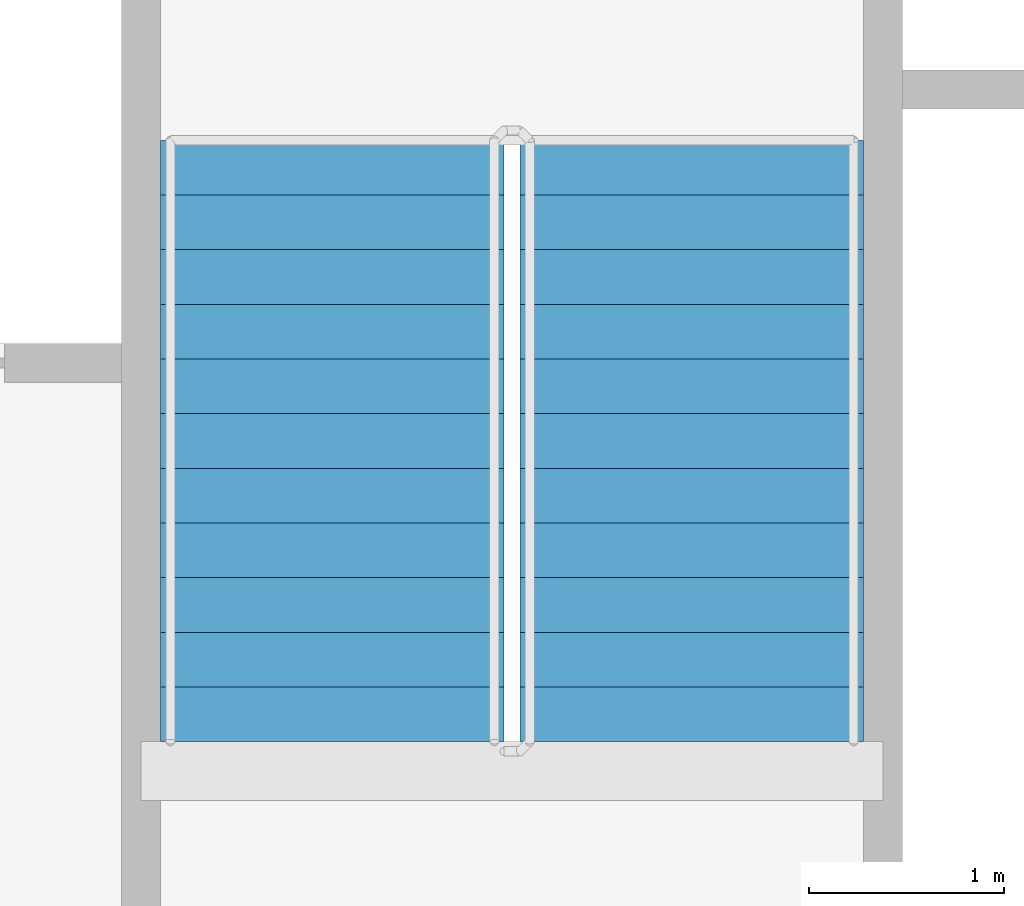
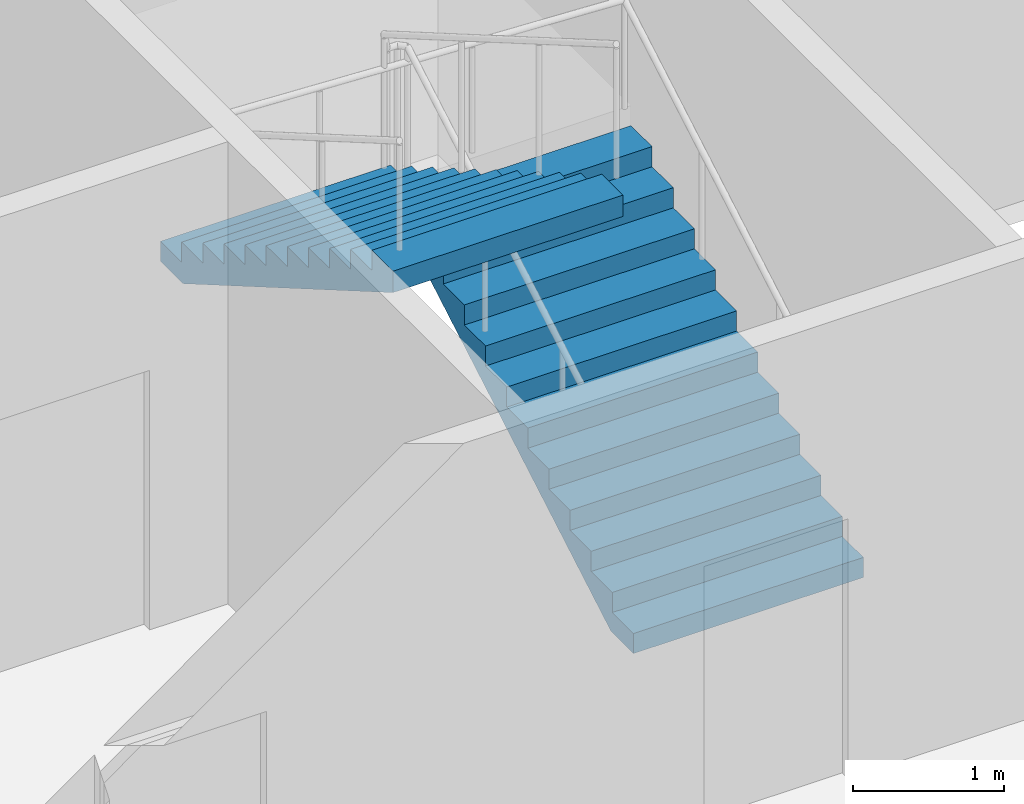
# One storey, part 9 of 14: 2 stair flights, 1 element without a shape of its own.
"""IFC4 building model written with IfcOpenShell, lengths in metres."""

from ifc_helpers import new_model, si_unit, direction, frame, origin, place, context, subcontext, project, spatial, faceted_brep, material, type_object, element, aggregate, save


model = new_model("IFC4")

# Units and contexts
model_context = context("Model", 3, precision=1e-05, world=origin(), true_north=direction((0.0, 1.0)))
body_context = subcontext(model_context, "Body", "Model", "MODEL_VIEW")
ifc_project = project(units=[si_unit("LENGTHUNIT", "METRE"), si_unit("AREAUNIT", "SQUARE_METRE"), si_unit("VOLUMEUNIT", "CUBIC_METRE"), si_unit("PLANEANGLEUNIT", "RADIAN"), si_unit("MASSUNIT", "GRAM", prefix="KILO")], contexts=[model_context])

# Site, building, storey
site_placement = place(None, origin())
site = spatial("IfcSite", under=ifc_project, at=site_placement, CompositionType="ELEMENT")
building_placement = place(site_placement, origin())
building = spatial("IfcBuilding", under=site, at=building_placement, Name="Tarsis Ring Headquarters", CompositionType="ELEMENT")
storey_placement = place(building_placement, frame((0.0, 0.0, 343.10009765625)))
storey = spatial("IfcBuildingStorey", under=building, at=storey_placement, Name="L81", CompositionType="ELEMENT", Elevation=343.10009765625)

# Stair, stair flights
ifc_material_1 = material(Name="Core stair 1760")
stair_type = type_object("IfcStairType", Name="Core stair 1760", PredefinedType="HALF_TURN_STAIR", material=ifc_material_1)
stair_placement = place(storey_placement, origin())
stair = element("IfcStair", 1, at=stair_placement, inside=storey, type_object=stair_type, Name="L81 Exit stair B", PredefinedType="HALF_TURN_STAIR")
ifc_material_2 = material(Name="Concrete C40/50", Category="concrete")
stair_flight_type = type_object("IfcStairFlightType", Name="Core stair flight 1760", PredefinedType="STRAIGHT", material=ifc_material_2)
stair_flight_1_placement = place(storey_placement, frame((5.419921875, 3.659912109375, 0.0), z_axis=(0.0, 0.0, 1.0), x_axis=(0.0, 1.0, 0.0)))
stair_flight_1 = element("IfcStairFlight", 2, at=stair_flight_1_placement, type_object=stair_flight_type, Name="Stair ST2 flight 1", NumberOfRisers=12, NumberOfTreads=11, PredefinedType="STRAIGHT", RiserHeight=0.1625, TreadLength=0.28, context=body_context, shape_type="Brep", body=[
    faceted_brep([(0.0, 0.8798828125, 0.0), (0.0, 0.8798828125, 0.16259765625), (0.280029296875, 0.8798828125, 0.16259765625), (0.280029296875, 0.8798828125, 0.324951171875), (0.56005859375, 0.8798828125, 0.324951171875), (0.56005859375, 0.8798828125, 0.487548828125), (0.840087890625, 0.8798828125, 0.487548828125), (0.840087890625, 0.8798828125, 0.64990234375), (1.1201171875, 0.8798828125, 0.64990234375), (1.1201171875, 0.8798828125, 0.8125), (1.39990234375, 0.8798828125, 0.8125), (1.39990234375, 0.8798828125, 0.97509765625), (1.679931640625, 0.8798828125, 0.97509765625), (1.679931640625, 0.8798828125, 1.137451171875), (1.9599609375, 0.8798828125, 1.137451171875), (1.9599609375, 0.8798828125, 1.300048828125), (2.239990234375, 0.8798828125, 1.300048828125), (2.239990234375, 0.8798828125, 1.46240234375), (2.52001953125, 0.8798828125, 1.46240234375), (2.52001953125, 0.8798828125, 1.625), (2.800048828125, 0.8798828125, 1.625), (2.800048828125, 0.8798828125, 1.78759765625), (3.080078125, 0.8798828125, 1.78759765625), (3.080078125, 0.8798828125, 1.6142578125), (0.298583984375, 0.8798828125, 0.0), (0.298583984375, -0.8798828125, 0.0), (3.080078125, -0.8798828125, 1.6142578125), (3.080078125, -0.8798828125, 1.78759765625), (2.800048828125, -0.8798828125, 1.78759765625), (2.800048828125, -0.8798828125, 1.625), (2.52001953125, -0.8798828125, 1.625), (2.52001953125, -0.8798828125, 1.46240234375), (2.239990234375, -0.8798828125, 1.46240234375), (2.239990234375, -0.8798828125, 1.300048828125), (1.9599609375, -0.8798828125, 1.300048828125), (1.9599609375, -0.8798828125, 1.137451171875), (1.679931640625, -0.8798828125, 1.137451171875), (1.679931640625, -0.8798828125, 0.97509765625), (1.39990234375, -0.8798828125, 0.97509765625), (1.39990234375, -0.8798828125, 0.8125), (1.1201171875, -0.8798828125, 0.8125), (1.1201171875, -0.8798828125, 0.64990234375), (0.840087890625, -0.8798828125, 0.64990234375), (0.840087890625, -0.8798828125, 0.487548828125), (0.56005859375, -0.8798828125, 0.487548828125), (0.56005859375, -0.8798828125, 0.324951171875), (0.280029296875, -0.8798828125, 0.324951171875), (0.280029296875, -0.8798828125, 0.16259765625), (0.0, -0.8798828125, 0.16259765625), (0.0, -0.8798828125, 0.0), (0.0, -0.43994140625, 0.16259765625), (0.0, -0.43994140625, 0.0), (0.0, 0.0, 0.16259765625), (0.0, 0.0, 0.0), (0.0, 0.43994140625, 0.16259765625), (0.0, 0.43994140625, 0.0), (0.280029296875, -0.43994140625, 0.16259765625), (0.280029296875, 0.0, 0.16259765625), (0.280029296875, 0.43994140625, 0.16259765625), (0.280029296875, -0.43994140625, 0.324951171875), (0.280029296875, 0.0, 0.324951171875), (0.280029296875, 0.43994140625, 0.324951171875), (0.56005859375, -0.43994140625, 0.324951171875), (0.56005859375, 0.0, 0.324951171875), (0.56005859375, 0.43994140625, 0.324951171875), (0.56005859375, -0.43994140625, 0.487548828125), (0.56005859375, 0.0, 0.487548828125), (0.56005859375, 0.43994140625, 0.487548828125), (0.840087890625, -0.43994140625, 0.487548828125), (0.840087890625, 0.0, 0.487548828125), (0.840087890625, 0.43994140625, 0.487548828125), (0.840087890625, -0.43994140625, 0.64990234375), (0.840087890625, 0.0, 0.64990234375), (0.840087890625, 0.43994140625, 0.64990234375), (1.1201171875, -0.43994140625, 0.64990234375), (1.1201171875, 0.0, 0.64990234375), (1.1201171875, 0.43994140625, 0.64990234375), (1.1201171875, -0.43994140625, 0.8125), (1.1201171875, 0.0, 0.8125), (1.1201171875, 0.43994140625, 0.8125), (1.39990234375, -0.43994140625, 0.8125), (1.39990234375, 0.0, 0.8125), (1.39990234375, 0.43994140625, 0.8125), (1.39990234375, -0.43994140625, 0.97509765625), (1.39990234375, 0.0, 0.97509765625), (1.39990234375, 0.43994140625, 0.97509765625), (1.679931640625, -0.43994140625, 0.97509765625), (1.679931640625, 0.0, 0.97509765625), (1.679931640625, 0.43994140625, 0.97509765625), (1.679931640625, -0.43994140625, 1.137451171875), (1.679931640625, 0.0, 1.137451171875), (1.679931640625, 0.43994140625, 1.137451171875), (1.9599609375, -0.43994140625, 1.137451171875), (1.9599609375, 0.0, 1.137451171875), (1.9599609375, 0.43994140625, 1.137451171875), (1.9599609375, -0.43994140625, 1.300048828125), (1.9599609375, 0.0, 1.300048828125), (1.9599609375, 0.43994140625, 1.300048828125), (2.239990234375, -0.43994140625, 1.300048828125), (2.239990234375, 0.0, 1.300048828125), (2.239990234375, 0.43994140625, 1.300048828125), (2.239990234375, -0.43994140625, 1.46240234375), (2.239990234375, 0.0, 1.46240234375), (2.239990234375, 0.43994140625, 1.46240234375), (2.52001953125, -0.43994140625, 1.46240234375), (2.52001953125, 0.0, 1.46240234375), (2.52001953125, 0.43994140625, 1.46240234375), (2.52001953125, -0.43994140625, 1.625), (2.52001953125, 0.0, 1.625), (2.52001953125, 0.43994140625, 1.625), (2.800048828125, -0.43994140625, 1.625), (2.800048828125, 0.0, 1.625), (2.800048828125, 0.43994140625, 1.625), (2.800048828125, -0.43994140625, 1.78759765625), (2.800048828125, 0.0, 1.78759765625), (2.800048828125, 0.43994140625, 1.78759765625), (3.080078125, -0.43994140625, 1.78759765625), (3.080078125, 0.0, 1.78759765625), (3.080078125, 0.43994140625, 1.78759765625), (3.080078125, -0.43994140625, 1.6142578125), (3.080078125, 0.0, 1.6142578125), (3.080078125, 0.43994140625, 1.6142578125), (0.298583984375, -0.43994140625, 0.0), (0.298583984375, 0.0, 0.0), (0.298583984375, 0.43994140625, 0.0)], [[[0, 1, 2, 3, 4, 5, 6, 7, 8, 9, 10, 11, 12, 13, 14, 15, 16, 17, 18, 19, 20, 21, 22, 23, 24]], [[25, 26, 27, 28, 29, 30, 31, 32, 33, 34, 35, 36, 37, 38, 39, 40, 41, 42, 43, 44, 45, 46, 47, 48, 49]], [[49, 48, 50, 51]], [[51, 50, 52, 53]], [[53, 52, 54, 55]], [[55, 54, 1, 0]], [[48, 47, 56, 50]], [[50, 56, 57, 52]], [[52, 57, 58, 54]], [[54, 58, 2, 1]], [[47, 46, 59, 56]], [[56, 59, 60, 57]], [[57, 60, 61, 58]], [[58, 61, 3, 2]], [[46, 45, 62, 59]], [[59, 62, 63, 60]], [[60, 63, 64, 61]], [[61, 64, 4, 3]], [[45, 44, 65, 62]], [[62, 65, 66, 63]], [[63, 66, 67, 64]], [[64, 67, 5, 4]], [[44, 43, 68, 65]], [[65, 68, 69, 66]], [[66, 69, 70, 67]], [[67, 70, 6, 5]], [[43, 42, 71, 68]], [[68, 71, 72, 69]], [[69, 72, 73, 70]], [[70, 73, 7, 6]], [[42, 41, 74, 71]], [[71, 74, 75, 72]], [[72, 75, 76, 73]], [[73, 76, 8, 7]], [[41, 40, 77, 74]], [[74, 77, 78, 75]], [[75, 78, 79, 76]], [[76, 79, 9, 8]], [[40, 39, 80, 77]], [[77, 80, 81, 78]], [[78, 81, 82, 79]], [[79, 82, 10, 9]], [[39, 38, 83, 80]], [[80, 83, 84, 81]], [[81, 84, 85, 82]], [[82, 85, 11, 10]], [[38, 37, 86, 83]], [[83, 86, 87, 84]], [[84, 87, 88, 85]], [[85, 88, 12, 11]], [[37, 36, 89, 86]], [[86, 89, 90, 87]], [[87, 90, 91, 88]], [[88, 91, 13, 12]], [[36, 35, 92, 89]], [[89, 92, 93, 90]], [[90, 93, 94, 91]], [[91, 94, 14, 13]], [[35, 34, 95, 92]], [[92, 95, 96, 93]], [[93, 96, 97, 94]], [[94, 97, 15, 14]], [[34, 33, 98, 95]], [[95, 98, 99, 96]], [[96, 99, 100, 97]], [[97, 100, 16, 15]], [[33, 32, 101, 98]], [[98, 101, 102, 99]], [[99, 102, 103, 100]], [[100, 103, 17, 16]], [[32, 31, 104, 101]], [[101, 104, 105, 102]], [[102, 105, 106, 103]], [[103, 106, 18, 17]], [[31, 30, 107, 104]], [[104, 107, 108, 105]], [[105, 108, 109, 106]], [[106, 109, 19, 18]], [[30, 29, 110, 107]], [[107, 110, 111, 108]], [[108, 111, 112, 109]], [[109, 112, 20, 19]], [[29, 28, 113, 110]], [[110, 113, 114, 111]], [[111, 114, 115, 112]], [[112, 115, 21, 20]], [[28, 27, 116, 113]], [[113, 116, 117, 114]], [[114, 117, 118, 115]], [[115, 118, 22, 21]], [[27, 26, 119, 116]], [[116, 119, 120, 117]], [[117, 120, 121, 118]], [[118, 121, 23, 22]], [[26, 25, 122, 119]], [[119, 122, 123, 120]], [[120, 123, 124, 121]], [[121, 124, 24, 23]], [[25, 49, 51, 122]], [[122, 51, 53, 123]], [[123, 53, 55, 124]], [[124, 55, 0, 24]]]),
])
stair_flight_2_placement = place(storey_placement, frame((3.580078125, 6.739990234375, 1.949951171875), z_axis=(0.0, 0.0, 1.0), x_axis=(0.0, -1.0, 0.0)))
stair_flight_2 = element("IfcStairFlight", 3, at=stair_flight_2_placement, type_object=stair_flight_type, Name="Stair ST2 flight 2", NumberOfRisers=12, NumberOfTreads=11, PredefinedType="STRAIGHT", RiserHeight=0.1625, TreadLength=0.28, context=body_context, shape_type="Brep", body=[
    faceted_brep([(0.0, 0.8798828125, 0.0), (0.0, 0.8798828125, 0.16259765625), (0.280029296875, 0.8798828125, 0.16259765625), (0.280029296875, 0.8798828125, 0.324951171875), (0.56005859375, 0.8798828125, 0.324951171875), (0.56005859375, 0.8798828125, 0.487548828125), (0.840087890625, 0.8798828125, 0.487548828125), (0.840087890625, 0.8798828125, 0.64990234375), (1.1201171875, 0.8798828125, 0.64990234375), (1.1201171875, 0.8798828125, 0.8125), (1.39990234375, 0.8798828125, 0.8125), (1.39990234375, 0.8798828125, 0.97509765625), (1.679931640625, 0.8798828125, 0.97509765625), (1.679931640625, 0.8798828125, 1.137451171875), (1.9599609375, 0.8798828125, 1.137451171875), (1.9599609375, 0.8798828125, 1.300048828125), (2.239990234375, 0.8798828125, 1.300048828125), (2.239990234375, 0.8798828125, 1.46240234375), (2.52001953125, 0.8798828125, 1.46240234375), (2.52001953125, 0.8798828125, 1.625), (2.800048828125, 0.8798828125, 1.625), (2.800048828125, 0.8798828125, 1.78759765625), (3.080078125, 0.8798828125, 1.78759765625), (3.080078125, 0.8798828125, 1.6142578125), (0.298583984375, 0.8798828125, 0.0), (0.298583984375, -0.8798828125, 0.0), (3.080078125, -0.8798828125, 1.6142578125), (3.080078125, -0.8798828125, 1.78759765625), (2.800048828125, -0.8798828125, 1.78759765625), (2.800048828125, -0.8798828125, 1.625), (2.52001953125, -0.8798828125, 1.625), (2.52001953125, -0.8798828125, 1.46240234375), (2.239990234375, -0.8798828125, 1.46240234375), (2.239990234375, -0.8798828125, 1.300048828125), (1.9599609375, -0.8798828125, 1.300048828125), (1.9599609375, -0.8798828125, 1.137451171875), (1.679931640625, -0.8798828125, 1.137451171875), (1.679931640625, -0.8798828125, 0.97509765625), (1.39990234375, -0.8798828125, 0.97509765625), (1.39990234375, -0.8798828125, 0.8125), (1.1201171875, -0.8798828125, 0.8125), (1.1201171875, -0.8798828125, 0.64990234375), (0.840087890625, -0.8798828125, 0.64990234375), (0.840087890625, -0.8798828125, 0.487548828125), (0.56005859375, -0.8798828125, 0.487548828125), (0.56005859375, -0.8798828125, 0.324951171875), (0.280029296875, -0.8798828125, 0.324951171875), (0.280029296875, -0.8798828125, 0.16259765625), (0.0, -0.8798828125, 0.16259765625), (0.0, -0.8798828125, 0.0), (0.0, -0.43994140625, 0.16259765625), (0.0, -0.43994140625, 0.0), (0.0, 0.0, 0.16259765625), (0.0, 0.0, 0.0), (0.0, 0.43994140625, 0.16259765625), (0.0, 0.43994140625, 0.0), (0.280029296875, -0.43994140625, 0.16259765625), (0.280029296875, 0.0, 0.16259765625), (0.280029296875, 0.43994140625, 0.16259765625), (0.280029296875, -0.43994140625, 0.324951171875), (0.280029296875, 0.0, 0.324951171875), (0.280029296875, 0.43994140625, 0.324951171875), (0.56005859375, -0.43994140625, 0.324951171875), (0.56005859375, 0.0, 0.324951171875), (0.56005859375, 0.43994140625, 0.324951171875), (0.56005859375, -0.43994140625, 0.487548828125), (0.56005859375, 0.0, 0.487548828125), (0.56005859375, 0.43994140625, 0.487548828125), (0.840087890625, -0.43994140625, 0.487548828125), (0.840087890625, 0.0, 0.487548828125), (0.840087890625, 0.43994140625, 0.487548828125), (0.840087890625, -0.43994140625, 0.64990234375), (0.840087890625, 0.0, 0.64990234375), (0.840087890625, 0.43994140625, 0.64990234375), (1.1201171875, -0.43994140625, 0.64990234375), (1.1201171875, 0.0, 0.64990234375), (1.1201171875, 0.43994140625, 0.64990234375), (1.1201171875, -0.43994140625, 0.8125), (1.1201171875, 0.0, 0.8125), (1.1201171875, 0.43994140625, 0.8125), (1.39990234375, -0.43994140625, 0.8125), (1.39990234375, 0.0, 0.8125), (1.39990234375, 0.43994140625, 0.8125), (1.39990234375, -0.43994140625, 0.97509765625), (1.39990234375, 0.0, 0.97509765625), (1.39990234375, 0.43994140625, 0.97509765625), (1.679931640625, -0.43994140625, 0.97509765625), (1.679931640625, 0.0, 0.97509765625), (1.679931640625, 0.43994140625, 0.97509765625), (1.679931640625, -0.43994140625, 1.137451171875), (1.679931640625, 0.0, 1.137451171875), (1.679931640625, 0.43994140625, 1.137451171875), (1.9599609375, -0.43994140625, 1.137451171875), (1.9599609375, 0.0, 1.137451171875), (1.9599609375, 0.43994140625, 1.137451171875), (1.9599609375, -0.43994140625, 1.300048828125), (1.9599609375, 0.0, 1.300048828125), (1.9599609375, 0.43994140625, 1.300048828125), (2.239990234375, -0.43994140625, 1.300048828125), (2.239990234375, 0.0, 1.300048828125), (2.239990234375, 0.43994140625, 1.300048828125), (2.239990234375, -0.43994140625, 1.46240234375), (2.239990234375, 0.0, 1.46240234375), (2.239990234375, 0.43994140625, 1.46240234375), (2.52001953125, -0.43994140625, 1.46240234375), (2.52001953125, 0.0, 1.46240234375), (2.52001953125, 0.43994140625, 1.46240234375), (2.52001953125, -0.43994140625, 1.625), (2.52001953125, 0.0, 1.625), (2.52001953125, 0.43994140625, 1.625), (2.800048828125, -0.43994140625, 1.625), (2.800048828125, 0.0, 1.625), (2.800048828125, 0.43994140625, 1.625), (2.800048828125, -0.43994140625, 1.78759765625), (2.800048828125, 0.0, 1.78759765625), (2.800048828125, 0.43994140625, 1.78759765625), (3.080078125, -0.43994140625, 1.78759765625), (3.080078125, 0.0, 1.78759765625), (3.080078125, 0.43994140625, 1.78759765625), (3.080078125, -0.43994140625, 1.6142578125), (3.080078125, 0.0, 1.6142578125), (3.080078125, 0.43994140625, 1.6142578125), (0.298583984375, -0.43994140625, 0.0), (0.298583984375, 0.0, 0.0), (0.298583984375, 0.43994140625, 0.0)], [[[0, 1, 2, 3, 4, 5, 6, 7, 8, 9, 10, 11, 12, 13, 14, 15, 16, 17, 18, 19, 20, 21, 22, 23, 24]], [[25, 26, 27, 28, 29, 30, 31, 32, 33, 34, 35, 36, 37, 38, 39, 40, 41, 42, 43, 44, 45, 46, 47, 48, 49]], [[49, 48, 50, 51]], [[51, 50, 52, 53]], [[53, 52, 54, 55]], [[55, 54, 1, 0]], [[48, 47, 56, 50]], [[50, 56, 57, 52]], [[52, 57, 58, 54]], [[54, 58, 2, 1]], [[47, 46, 59, 56]], [[56, 59, 60, 57]], [[57, 60, 61, 58]], [[58, 61, 3, 2]], [[46, 45, 62, 59]], [[59, 62, 63, 60]], [[60, 63, 64, 61]], [[61, 64, 4, 3]], [[45, 44, 65, 62]], [[62, 65, 66, 63]], [[63, 66, 67, 64]], [[64, 67, 5, 4]], [[44, 43, 68, 65]], [[65, 68, 69, 66]], [[66, 69, 70, 67]], [[67, 70, 6, 5]], [[43, 42, 71, 68]], [[68, 71, 72, 69]], [[69, 72, 73, 70]], [[70, 73, 7, 6]], [[42, 41, 74, 71]], [[71, 74, 75, 72]], [[72, 75, 76, 73]], [[73, 76, 8, 7]], [[41, 40, 77, 74]], [[74, 77, 78, 75]], [[75, 78, 79, 76]], [[76, 79, 9, 8]], [[40, 39, 80, 77]], [[77, 80, 81, 78]], [[78, 81, 82, 79]], [[79, 82, 10, 9]], [[39, 38, 83, 80]], [[80, 83, 84, 81]], [[81, 84, 85, 82]], [[82, 85, 11, 10]], [[38, 37, 86, 83]], [[83, 86, 87, 84]], [[84, 87, 88, 85]], [[85, 88, 12, 11]], [[37, 36, 89, 86]], [[86, 89, 90, 87]], [[87, 90, 91, 88]], [[88, 91, 13, 12]], [[36, 35, 92, 89]], [[89, 92, 93, 90]], [[90, 93, 94, 91]], [[91, 94, 14, 13]], [[35, 34, 95, 92]], [[92, 95, 96, 93]], [[93, 96, 97, 94]], [[94, 97, 15, 14]], [[34, 33, 98, 95]], [[95, 98, 99, 96]], [[96, 99, 100, 97]], [[97, 100, 16, 15]], [[33, 32, 101, 98]], [[98, 101, 102, 99]], [[99, 102, 103, 100]], [[100, 103, 17, 16]], [[32, 31, 104, 101]], [[101, 104, 105, 102]], [[102, 105, 106, 103]], [[103, 106, 18, 17]], [[31, 30, 107, 104]], [[104, 107, 108, 105]], [[105, 108, 109, 106]], [[106, 109, 19, 18]], [[30, 29, 110, 107]], [[107, 110, 111, 108]], [[108, 111, 112, 109]], [[109, 112, 20, 19]], [[29, 28, 113, 110]], [[110, 113, 114, 111]], [[111, 114, 115, 112]], [[112, 115, 21, 20]], [[28, 27, 116, 113]], [[113, 116, 117, 114]], [[114, 117, 118, 115]], [[115, 118, 22, 21]], [[27, 26, 119, 116]], [[116, 119, 120, 117]], [[117, 120, 121, 118]], [[118, 121, 23, 22]], [[26, 25, 122, 119]], [[119, 122, 123, 120]], [[120, 123, 124, 121]], [[121, 124, 24, 23]], [[25, 49, 51, 122]], [[122, 51, 53, 123]], [[123, 53, 55, 124]], [[124, 55, 0, 24]]]),
])
aggregate(stair, [stair_flight_1, stair_flight_2])

save(model, "model.ifc")
